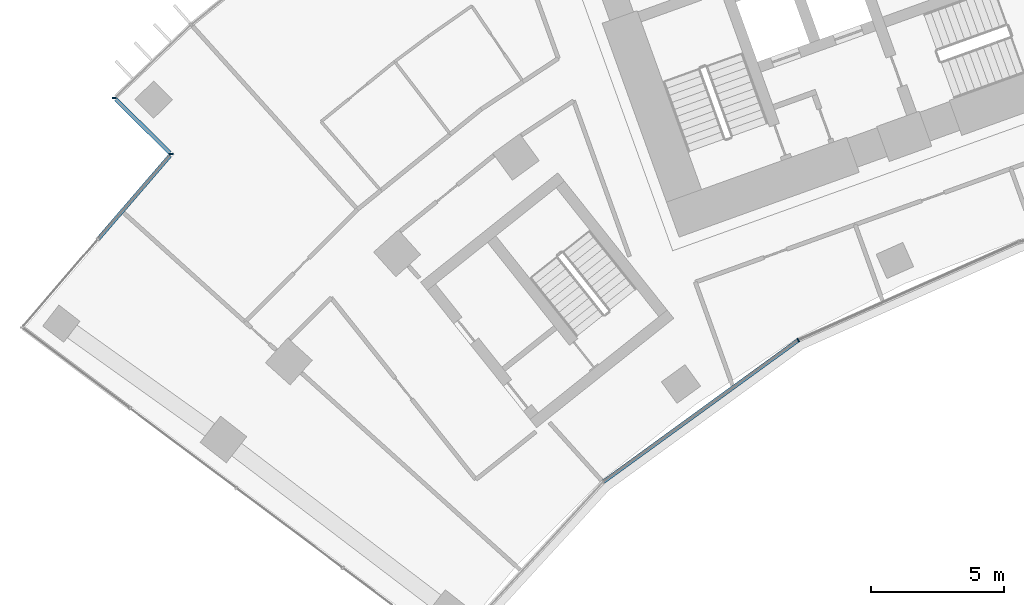
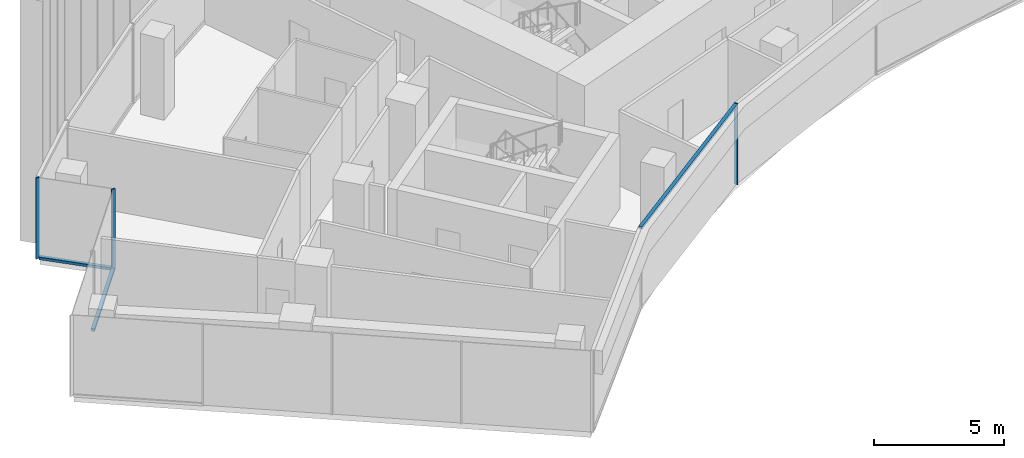
# One storey, part 3 of 23: 6 members, 3 elements without a shape of their own.
"""IFC4 building model written with IfcOpenShell, lengths in metres."""

import ifcopenshell
import ifcopenshell.guid

model = None  # the IFC model being written
_history = None  # IfcOwnerHistory: only IFC2X3 demands one
_inside = {}  # id of a spatial element -> (the spatial element, [elements in it])
_under = {}  # id of a project, library or spatial element -> (it, [spatial elements below it])
_declared = {}  # id of a project -> (the project, [libraries it declares])
_typed = {}  # id of a type object -> (the type object, [elements of that type])
_made_of = {}  # id of a material, layer set ... -> (it, [elements and type objects made of it])


def new_model(schema):
    """Start an empty IFC model of exactly this schema.

    Asked for "IFC4X3", IfcOpenShell would pick the latest addendum, in which some entities
    have other attributes; the version numbers below select the first issue.
    IFC2X3 requires an IfcOwnerHistory on every rooted entity: one is made here for all.
    """
    global model, _history
    if schema == "IFC4X3":
        model = ifcopenshell.file(schema_version=(4, 3, 0, 0))
    else:
        model = ifcopenshell.file(schema=schema)
    _inside.clear()
    _under.clear()
    _declared.clear()
    _typed.clear()
    _made_of.clear()
    _history = None
    if model.schema == "IFC2X3":
        org = make("IfcOrganization", Name="unknown")
        user = make(
            "IfcPersonAndOrganization",
            ThePerson=make("IfcPerson", FamilyName="unknown"),
            TheOrganization=org,
        )
        app = make(
            "IfcApplication",
            ApplicationDeveloper=org,
            Version="unknown",
            ApplicationFullName="unknown",
            ApplicationIdentifier="unknown",
        )
        _history = make(
            "IfcOwnerHistory",
            OwningUser=user,
            OwningApplication=app,
            ChangeAction="ADDED",
            CreationDate=0,
        )
    return model


def make(cls, **values):
    """One entity of the class cls with the attributes given. An attribute that is None is left unset."""
    return model.create_entity(
        cls, **{name: value for name, value in values.items() if value is not None}
    )


def rooted(cls, **values):
    """An entity with a GlobalId (a new one), such as an element, a storey or a relation."""
    return make(cls, GlobalId=ifcopenshell.guid.new(), OwnerHistory=_history, **values)


def si_unit(unit_type, name, prefix=None):
    """IfcSIUnit, for example si_unit("LENGTHUNIT", "METRE", prefix="MILLI")."""
    return make("IfcSIUnit", UnitType=unit_type, Prefix=prefix, Name=name)


def assignment(units):
    """IfcUnitAssignment: the units of a project."""
    return None if units is None else make("IfcUnitAssignment", Units=units)


def point(xyz):
    """IfcCartesianPoint."""
    return None if xyz is None else make("IfcCartesianPoint", Coordinates=xyz)


def direction(xyz):
    """IfcDirection."""
    return None if xyz is None else make("IfcDirection", DirectionRatios=xyz)


def frame(location, z_axis=None, x_axis=None):
    """IfcAxis2Placement3D, a coordinate frame: its origin and axes. An axis left out is left unset."""
    return make(
        "IfcAxis2Placement3D",
        Location=point(location),
        Axis=direction(z_axis),
        RefDirection=direction(x_axis),
    )


def frame_2d(location, x_axis=None):
    """IfcAxis2Placement2D, a coordinate frame in the plane: its origin and x axis."""
    return make(
        "IfcAxis2Placement2D", Location=point(location), RefDirection=direction(x_axis)
    )


def origin():
    """The frame at (0, 0, 0) with its axes left unset."""
    return frame((0.0, 0.0, 0.0))


def origin_2d():
    """The frame at (0, 0) in the plane with its x axis left unset."""
    return frame_2d((0.0, 0.0))


def place(relative_to, where):
    """IfcLocalPlacement: puts the frame where relative to a parent placement (None: the world)."""
    return make(
        "IfcLocalPlacement", PlacementRelTo=relative_to, RelativePlacement=where
    )


def context(
    kind, dimensions, precision=None, world=None, true_north=None, identifier=None
):
    """IfcGeometricRepresentationContext, for example the 3D "Model" context."""
    return make(
        "IfcGeometricRepresentationContext",
        ContextIdentifier=identifier,
        ContextType=kind,
        CoordinateSpaceDimension=dimensions,
        Precision=precision,
        WorldCoordinateSystem=world,
        TrueNorth=true_north,
    )


def subcontext(parent, identifier, kind, view, scale=None):
    """IfcGeometricRepresentationSubContext, for example "Body" below "Model"."""
    return make(
        "IfcGeometricRepresentationSubContext",
        ContextIdentifier=identifier,
        ContextType=kind,
        ParentContext=parent,
        TargetScale=scale,
        TargetView=view,
    )


def project(units=None, contexts=None):
    """IfcProject with its units and contexts."""
    return rooted(
        "IfcProject",
        Name="project",
        RepresentationContexts=contexts,
        UnitsInContext=assignment(units),
    )


def spatial(cls, under=None, at=None, **own):
    """A site, building, storey or space (cls), placed at a placement, below another one or the project."""
    s = rooted(cls, ObjectPlacement=at, **own)
    if under is not None:
        _under.setdefault(under.id(), (under, []))[1].append(s)
    return s


def profile(cls, at=None, kind="AREA", **sizes):
    """A parametric profile (cls). Its sizes go by their IFC names, for example OverallWidth=200.0."""
    return make(cls, ProfileType=kind, Position=at, **sizes)


def rectangle(**sizes):
    """IfcRectangleProfileDef."""
    return profile("IfcRectangleProfileDef", **sizes)


def extrude(swept, where, along, depth):
    """IfcExtrudedAreaSolid: the profile swept, set in the frame where, extruded along a direction by depth."""
    return make(
        "IfcExtrudedAreaSolid",
        SweptArea=swept,
        Position=where,
        ExtrudedDirection=direction(along),
        Depth=depth,
    )


def shape(context_of_items, identifier, shape_type, items):
    """IfcShapeRepresentation: the items that make up one representation, for example the "Body"."""
    return make(
        "IfcShapeRepresentation",
        ContextOfItems=context_of_items,
        RepresentationIdentifier=identifier,
        RepresentationType=shape_type,
        Items=items,
    )


def material(Name=None, Category=None):
    """IfcMaterial."""
    return make("IfcMaterial", Name=Name, Category=Category)


def layer(
    of_material, thickness, ventilated=None, Name=None, Category=None, Priority=None
):
    """IfcMaterialLayer: one layer of a wall or slab, of a material (None: an air gap)."""
    return make(
        "IfcMaterialLayer",
        Material=of_material,
        LayerThickness=thickness,
        IsVentilated=ventilated,
        Name=Name,
        Category=Category,
        Priority=Priority,
    )


def layer_set(layers, Name=None):
    """IfcMaterialLayerSet."""
    return make("IfcMaterialLayerSet", MaterialLayers=layers, LayerSetName=Name)


def material_profile(
    of_material, cross_section, Name=None, Category=None, Priority=None
):
    """IfcMaterialProfile: a cross section and its material."""
    return make(
        "IfcMaterialProfile",
        Name=Name,
        Material=of_material,
        Profile=cross_section,
        Priority=Priority,
        Category=Category,
    )


def profile_set(profiles, Name=None, composite=None):
    """IfcMaterialProfileSet."""
    return make(
        "IfcMaterialProfileSet",
        Name=Name,
        MaterialProfiles=profiles,
        CompositeProfile=composite,
    )


def made_of(thing, what):
    """Note that an element or type object is made of a material, layer set ...; save() writes the relation."""
    if what is not None:
        _made_of.setdefault(what.id(), (what, []))[1].append(thing)
    return thing


def type_object(cls, material=None, **own):
    """A type object (cls), such as IfcWallType, which elements share."""
    return made_of(rooted(cls, **own), material)


def element(
    cls,
    number,
    at=None,
    inside=None,
    cuts=None,
    type_object=None,
    material=None,
    context=None,
    identifier="Body",
    shape_type=None,
    held_by="IfcProductDefinitionShape",
    body=None,
    shapes=None,
    **own,
):
    """One element of the class cls, such as IfcWall. Its Tag is "e" and its number.

    at: its placement. inside: the storey or other place that contains it. cuts: it is an
    opening in that element (IfcRelVoidsElement). A single representation is given by context,
    identifier, shape_type and body (its items); several are given by shapes. held_by: the class
    of the entity that holds the representations. save() writes the other relations.
    """
    e = rooted(cls, Tag="e%d" % number, ObjectPlacement=at, **own)
    if body is not None:
        shapes = [shape(context, identifier, shape_type, body)]
    if shapes is not None:
        e.Representation = make(held_by, Representations=shapes)
    if inside is not None:
        _inside.setdefault(inside.id(), (inside, []))[1].append(e)
    if cuts is not None:
        rooted(
            "IfcRelVoidsElement", RelatingBuildingElement=cuts, RelatedOpeningElement=e
        )
    if type_object is not None:
        _typed.setdefault(type_object.id(), (type_object, []))[1].append(e)
    return made_of(e, material)


def aggregate(whole, parts):
    """IfcRelAggregates: a whole, such as a stair, and the parts it consists of."""
    return rooted("IfcRelAggregates", RelatingObject=whole, RelatedObjects=parts)


def save(model, path):
    """Write the relations noted so far, then the file.

    IfcRelAggregates (storeys below a building ...), IfcRelContainedInSpatialStructure (elements
    in a storey), IfcRelDefinesByType, IfcRelAssociatesMaterial and IfcRelDeclares: one each for
    every whole, place, type object, material and project.
    """
    for whole, parts in _under.values():
        aggregate(whole, parts)
    for where, things in _inside.values():
        rooted(
            "IfcRelContainedInSpatialStructure",
            RelatedElements=things,
            RelatingStructure=where,
        )
    for kind, things in _typed.values():
        rooted("IfcRelDefinesByType", RelatedObjects=things, RelatingType=kind)
    for what, things in _made_of.values():
        rooted("IfcRelAssociatesMaterial", RelatedObjects=things, RelatingMaterial=what)
    for by, libraries in _declared.values():
        rooted("IfcRelDeclares", RelatingContext=by, RelatedDefinitions=libraries)
    model.write(path)


model = new_model("IFC4")

# Units and contexts
model_context = context("Model", 3, precision=1e-05, world=origin(), true_north=direction((0.0, 1.0)))
body_context = subcontext(model_context, "Body", "Model", "MODEL_VIEW")
ifc_project = project(units=[si_unit("LENGTHUNIT", "METRE"), si_unit("AREAUNIT", "SQUARE_METRE"), si_unit("VOLUMEUNIT", "CUBIC_METRE"), si_unit("PLANEANGLEUNIT", "RADIAN"), si_unit("MASSUNIT", "GRAM", prefix="KILO")], contexts=[model_context])

# Site, building, storey
site_placement = place(None, origin())
site = spatial("IfcSite", under=ifc_project, at=site_placement, CompositionType="ELEMENT")
building_placement = place(site_placement, origin())
building = spatial("IfcBuilding", under=site, at=building_placement, Name="Stone Belt Terrace Tower", CompositionType="ELEMENT")
storey_placement = place(building_placement, frame((0.0, 0.0, 178.199951171875)))
storey = spatial("IfcBuildingStorey", under=building, at=storey_placement, Name="L43", CompositionType="ELEMENT", Elevation=178.199951171875)

# Curtain wall, members
ifc_material = material(Name="Aluminium 6063-T6 anodised frame", Category="aluminium")
ifc_layer_1 = layer(ifc_material, 0.14990234375)
ifc_layer_set_1 = layer_set([ifc_layer_1], Name="CW-B unitised concave-face curtain wall")
curtain_wall_type_1 = type_object("IfcCurtainWallType", Name="CW-B unitised concave-face curtain wall", PredefinedType="NOTDEFINED", material=ifc_layer_set_1)
curtain_wall_1_placement = place(storey_placement, origin())
curtain_wall_1 = element("IfcCurtainWall", 1, at=curtain_wall_1_placement, inside=storey, type_object=curtain_wall_type_1, Name="CW-B concave face L43", PredefinedType="NOTDEFINED")
ifc_material_profile_1 = material_profile(ifc_material, rectangle(XDim=0.14990234375, YDim=0.050048828125, at=origin_2d()), Name="Aluminium 6063-T6 50x150")
ifc_profile_set_1 = profile_set([ifc_material_profile_1], Name="Aluminium 6063-T6 anodised frame")
member_type_1 = type_object("IfcMemberType", Name="CW-B mullion 50 x 150", PredefinedType="MULLION", material=ifc_profile_set_1)
member_1_placement = place(storey_placement, frame((-21.71240234375, 37.606689453125, 0.0), z_axis=(0.0, 0.0, 1.0), x_axis=(-0.5, 0.866025403784, 0.0)))
member_1 = element("IfcMember", 2, at=member_1_placement, type_object=member_type_1, Name="CW-B mullion 3", PredefinedType="MULLION", context=body_context, shape_type="SweptSolid", body=[
    extrude(rectangle(XDim=0.14990234375, YDim=0.050048828125, at=origin_2d()), origin(), (0.0, 0.0, 1.0), 3.800048828125),
])
ifc_material_profile_2 = material_profile(ifc_material, rectangle(XDim=0.14990234375, YDim=0.1201171875, at=origin_2d()), Name="Aluminium 6063-T6 150x120")
ifc_profile_set_2 = profile_set([ifc_material_profile_2], Name="Aluminium 6063-T6 anodised frame")
member_type_2 = type_object("IfcMemberType", Name="CW-B transom 120 x 150", PredefinedType="USERDEFINED", material=ifc_profile_set_2)
member_2_placement = place(storey_placement, frame((-29.03076171875, 32.28955078125, 3.739990234375), z_axis=(0.809008908433, 0.587796381475, 0.0), x_axis=(-0.587796381475, 0.809008908433, 0.0)))
member_2 = element("IfcMember", 3, at=member_2_placement, type_object=member_type_2, Name="CW-B transom 2.1", ObjectType="TRANSOM", PredefinedType="USERDEFINED", context=body_context, shape_type="SweptSolid", body=[
    extrude(rectangle(XDim=0.14990234375, YDim=0.1201171875, at=origin_2d()), origin(), (0.0, 0.0, 1.0), 9.013427734375),
])
aggregate(curtain_wall_1, [member_1, member_2])

# Curtain wall, member
ifc_layer_2 = layer(ifc_material, 0.14990234375)
ifc_layer_set_2 = layer_set([ifc_layer_2], Name="CW-C stick curtain wall, horn ends and notches")
curtain_wall_type_2 = type_object("IfcCurtainWallType", Name="CW-C stick curtain wall, horn ends and notches", PredefinedType="NOTDEFINED", material=ifc_layer_set_2)
curtain_wall_2_placement = place(storey_placement, origin())
curtain_wall_2 = element("IfcCurtainWall", 4, at=curtain_wall_2_placement, inside=storey, type_object=curtain_wall_type_2, Name="CW-C notch face L43", PredefinedType="NOTDEFINED")
ifc_material_profile_3 = material_profile(ifc_material, rectangle(XDim=0.14990234375, YDim=0.06005859375, at=origin_2d()), Name="Aluminium 6063-T6 60x150")
ifc_profile_set_3 = profile_set([ifc_material_profile_3], Name="Aluminium 6063-T6 anodised frame")
member_type_3 = type_object("IfcMemberType", Name="CW-C mullion 60 x 150", PredefinedType="MULLION", material=ifc_profile_set_3)
member_3_placement = place(storey_placement, frame((-47.4365234375, 46.715087890625, 0.0), z_axis=(0.0, 0.0, 1.0), x_axis=(0.999966480105, -0.008187714406, 0.0)))
member_3 = element("IfcMember", 5, at=member_3_placement, type_object=member_type_3, Name="CW-C mullion 1", PredefinedType="MULLION", context=body_context, shape_type="SweptSolid", body=[
    extrude(rectangle(XDim=0.14990234375, YDim=0.06005859375, at=origin_2d()), origin(), (0.0, 0.0, 1.0), 3.800048828125),
])

curtain_wall_3_placement = place(storey_placement, origin())
curtain_wall_3 = element("IfcCurtainWall", 6, at=curtain_wall_3_placement, inside=storey, type_object=curtain_wall_type_2, Name="CW-C notch face L43", PredefinedType="NOTDEFINED")
member_4_placement = place(storey_placement, frame((-45.29638671875, 44.602783203125, 0.0), z_axis=(0.0, 0.0, 1.0), x_axis=(0.999185209744, 0.040359839301, 0.0)))
member_4 = element("IfcMember", 7, at=member_4_placement, type_object=member_type_3, Name="CW-C mullion 1", PredefinedType="MULLION", context=body_context, shape_type="SweptSolid", body=[
    extrude(rectangle(XDim=0.14990234375, YDim=0.06005859375, at=origin_2d()), origin(), (0.0, 0.0, 1.0), 3.800048828125),
])

# Member
ifc_material_profile_4 = material_profile(ifc_material, rectangle(XDim=0.14990234375, YDim=0.1201171875, at=origin_2d()), Name="Aluminium 6063-T6 150x120")
ifc_profile_set_4 = profile_set([ifc_material_profile_4], Name="Aluminium 6063-T6 anodised frame")
member_type_4 = type_object("IfcMemberType", Name="CW-C transom 120 x 150", PredefinedType="USERDEFINED", material=ifc_profile_set_4)
member_5_placement = place(storey_placement, frame((-47.383544921875, 46.66259765625, 0.06005859375), z_axis=(0.711744791626, -0.702438147877, 0.0), x_axis=(0.702438147877, 0.711744791626, 0.0)))
member_5 = element("IfcMember", 8, at=member_5_placement, type_object=member_type_4, Name="CW-C transom 1.1", ObjectType="TRANSOM", PredefinedType="USERDEFINED", context=body_context, shape_type="SweptSolid", body=[
    extrude(rectangle(XDim=0.14990234375, YDim=0.1201171875, at=origin_2d()), origin(), (0.0, 0.0, 1.0), 2.859375),
])

aggregate(curtain_wall_2, [member_3, member_5])

member_6_placement = place(storey_placement, frame((-45.343994140625, 44.54736328125, 0.06005859375), z_axis=(-0.652755588772, -0.757568572029, 0.0), x_axis=(0.757568572029, -0.652755588772, 0.0)))
member_6 = element("IfcMember", 9, at=member_6_placement, type_object=member_type_4, Name="CW-C transom 1.1", ObjectType="TRANSOM", PredefinedType="USERDEFINED", context=body_context, shape_type="SweptSolid", body=[
    extrude(rectangle(XDim=0.14990234375, YDim=0.1201171875, at=origin_2d()), origin(), (0.0, 0.0, 1.0), 4.12060546875),
])

aggregate(curtain_wall_3, [member_4, member_6])

save(model, "model.ifc")
